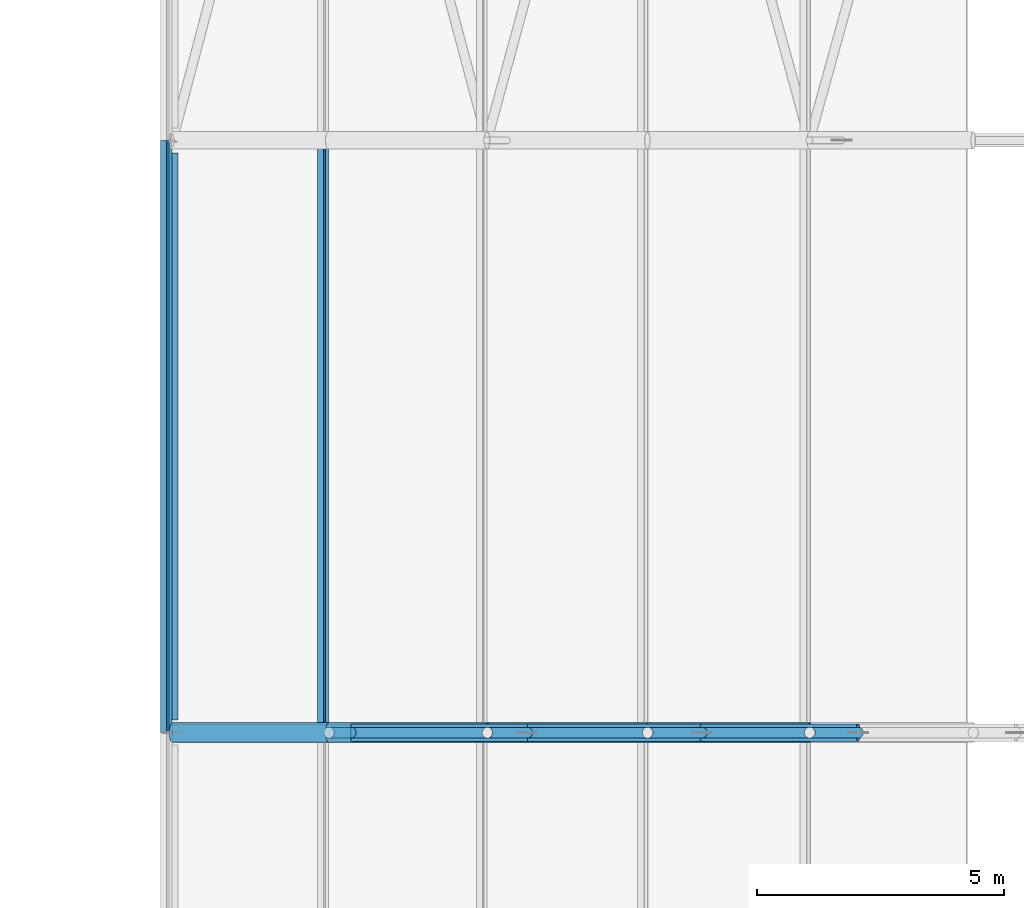
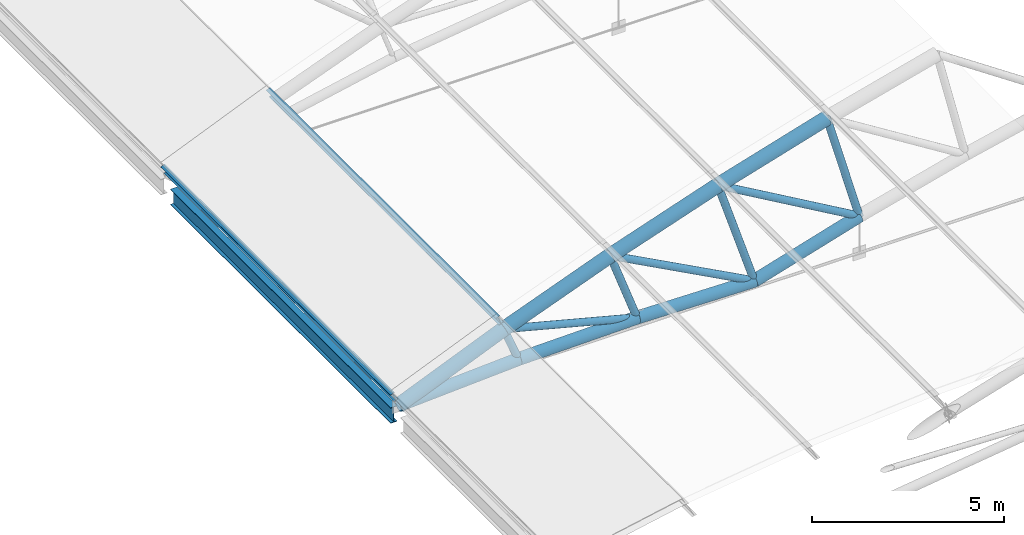
# One storey, part 161 of 321: 17 members, 1 beam.
"""IFC4 building model written with IfcOpenShell, lengths in metres."""

from ifc_helpers import new_model, si_unit, direction, frame, origin, origin_2d, place, context, subcontext, project, spatial, hollow_circle, i_section, extrude, material, material_profile, profile_set, type_object, element, save


model = new_model("IFC4")

# Units and contexts
model_context = context("Model", 3, precision=1e-05, world=origin(), true_north=direction((0.0, 1.0)))
body_context = subcontext(model_context, "Body", "Model", "MODEL_VIEW")
ifc_project = project(units=[si_unit("LENGTHUNIT", "METRE"), si_unit("AREAUNIT", "SQUARE_METRE"), si_unit("VOLUMEUNIT", "CUBIC_METRE"), si_unit("PLANEANGLEUNIT", "RADIAN"), si_unit("MASSUNIT", "GRAM", prefix="KILO")], contexts=[model_context])

# Site, building, storey
site_placement = place(None, origin())
site = spatial("IfcSite", under=ifc_project, at=site_placement, CompositionType="ELEMENT")
building_placement = place(site_placement, origin())
building = spatial("IfcBuilding", under=site, at=building_placement, Name="Ravi Spectrum Wholesale Market", CompositionType="ELEMENT")
storey_placement = place(building_placement, frame((0.0, 0.0, 10.800048828125)))
storey = spatial("IfcBuildingStorey", under=building, at=storey_placement, Name="L02", CompositionType="ELEMENT", Elevation=10.800048828125)

# Members
ifc_material_1 = material(Name="Steel S355", Category="steel")
ifc_material_profile_1 = material_profile(ifc_material_1, hollow_circle(Radius=0.109619140625, WallThickness=0.008056640625, at=origin_2d()))
ifc_profile_set_1 = profile_set([ifc_material_profile_1], Name="Steel S355")
member_type_1 = type_object("IfcMemberType", Name="CHS 219.1x8 brace", PredefinedType="BRACE", material=ifc_profile_set_1)
member_1_placement = place(storey_placement, frame((33.163818359375, 174.0, 1.325439453125), z_axis=(0.967942387937, 0.0, -0.251172318609), x_axis=(0.0, 1.0, 0.0)))
element("IfcMember", 1, at=member_1_placement, inside=storey, type_object=member_type_1, Name="H1-MB-L02-1044", PredefinedType="BRACE", context=body_context, shape_type="SweptSolid", body=[
    extrude(hollow_circle(Radius=0.109619140625, WallThickness=0.008056640625, at=origin_2d()), origin(), (0.0, 0.0, 1.0), 4.15234375),
])
for number, where, z_axis, x_axis, name in (
    (2, (36.37158203125, 174.0, 2.541015625), (0.881933088563, 0.0, -0.471374614608), (0.0, 1.0, 0.0), "H1-MB-L02-1045"),
    (3, (39.619384765625, 174.0, 3.645263671875), (0.865160555252, 0.0, -0.501494978675), (0.0, 1.0, 0.0), "H1-MB-L02-1046"),
):
    element("IfcMember", number, at=place(storey_placement, frame(where, z_axis=z_axis, x_axis=x_axis)), inside=storey, type_object=member_type_1, Name=name, PredefinedType="BRACE", context=body_context, shape_type="SweptSolid", body=[
        extrude(hollow_circle(Radius=0.109619140625, WallThickness=0.008056640625, at=origin_2d()), origin(), (0.0, 0.0, 1.0), 4.9296875),
    ])
ifc_material_2 = material(Name="Steel S355", Category="steel")
ifc_material_profile_2 = material_profile(ifc_material_2, hollow_circle(Radius=0.109619140625, WallThickness=0.008056640625, at=origin_2d()))
ifc_profile_set_2 = profile_set([ifc_material_profile_2], Name="Steel S355")
member_type_2 = type_object("IfcMemberType", Name="CHS 219.1x8 post", PredefinedType="POST", material=ifc_profile_set_2)
member_2_placement = place(storey_placement, frame((33.163818359375, 174.0, 1.325439453125), z_axis=(0.370513497528, 0.0, -0.928827081942), x_axis=(0.0, 1.0, 0.0)))
element("IfcMember", 4, at=member_2_placement, inside=storey, type_object=member_type_2, Name="H1-MB-L02-1021", PredefinedType="POST", context=body_context, shape_type="SweptSolid", body=[
    extrude(hollow_circle(Radius=0.109619140625, WallThickness=0.008056640625, at=origin_2d()), origin(), (0.0, 0.0, 1.0), 1.199951171875),
])
member_3_placement = place(storey_placement, frame((36.37158203125, 174.0, 2.541015625), z_axis=(0.338146640483, 0.0, -0.941093432944), x_axis=(0.0, 1.0, 0.0)))
element("IfcMember", 5, at=member_3_placement, inside=storey, type_object=member_type_2, Name="H1-MB-L02-1022", PredefinedType="POST", context=body_context, shape_type="SweptSolid", body=[
    extrude(hollow_circle(Radius=0.109619140625, WallThickness=0.008056640625, at=origin_2d()), origin(), (0.0, 0.0, 1.0), 2.39990234375),
])
member_4_placement = place(storey_placement, frame((39.619384765625, 174.0, 3.645263671875), z_axis=(0.305506444581, 0.0, -0.952190008517), x_axis=(0.0, 1.0, 0.0)))
element("IfcMember", 6, at=member_4_placement, inside=storey, type_object=member_type_2, Name="H1-MB-L02-1023", PredefinedType="POST", context=body_context, shape_type="SweptSolid", body=[
    extrude(hollow_circle(Radius=0.109619140625, WallThickness=0.008056640625, at=origin_2d()), origin(), (0.0, 0.0, 1.0), 3.60009765625),
])
member_5_placement = place(storey_placement, frame((42.903076171875, 174.0, 4.63671875), z_axis=(0.272561766134, 0.0, -0.962138287172), x_axis=(0.0, 1.0, 0.0)))
element("IfcMember", 7, at=member_5_placement, inside=storey, type_object=member_type_2, Name="H1-MB-L02-1024", PredefinedType="POST", context=body_context, shape_type="SweptSolid", body=[
    extrude(hollow_circle(Radius=0.109619140625, WallThickness=0.008056640625, at=origin_2d()), origin(), (0.0, 0.0, 1.0), 3.599853515625),
])
ifc_material_3 = material(Name="Steel S355", Category="steel")
ifc_material_profile_3 = material_profile(ifc_material_3, hollow_circle(Radius=0.177734375, WallThickness=0.012451171875, at=origin_2d()))
ifc_profile_set_3 = profile_set([ifc_material_profile_3], Name="Steel S355")
member_type_3 = type_object("IfcMemberType", Name="CHS 355.6x12.5 chord", PredefinedType="CHORD", material=ifc_profile_set_3)
member_6_placement = place(storey_placement, frame((30.0, 174.0, 0.0), z_axis=(0.998295734367, 0.0, 0.058357747936), x_axis=(0.0, 1.0, 0.0)))
element("IfcMember", 8, at=member_6_placement, inside=storey, type_object=member_type_3, Name="H1-MB-L02-997", PredefinedType="CHORD", context=body_context, shape_type="SweptSolid", body=[
    extrude(hollow_circle(Radius=0.177734375, WallThickness=0.012451171875, at=origin_2d()), origin(), (0.0, 0.0, 1.0), 3.614501953125),
])
member_7_placement = place(storey_placement, frame((33.6083984375, 174.0, 0.2109375), z_axis=(0.999799841502, 0.0, 0.020006922112), x_axis=(0.0, 1.0, 0.0)))
element("IfcMember", 9, at=member_7_placement, inside=storey, type_object=member_type_3, Name="H1-MB-L02-998", PredefinedType="CHORD", context=body_context, shape_type="SweptSolid", body=[
    extrude(hollow_circle(Radius=0.177734375, WallThickness=0.012451171875, at=origin_2d()), origin(), (0.0, 0.0, 1.0), 3.575439453125),
])
member_8_placement = place(storey_placement, frame((37.18310546875, 174.0, 0.282470703125), z_axis=(0.999830134639, 0.0, -0.018431002896), x_axis=(0.0, 1.0, 0.0)))
element("IfcMember", 10, at=member_8_placement, inside=storey, type_object=member_type_3, Name="H1-MB-L02-999", PredefinedType="CHORD", context=body_context, shape_type="SweptSolid", body=[
    extrude(hollow_circle(Radius=0.177734375, WallThickness=0.012451171875, at=origin_2d()), origin(), (0.0, 0.0, 1.0), 3.53662109375),
])
member_9_placement = place(storey_placement, frame((40.71923828125, 174.0, 0.21728515625), z_axis=(0.957300337613, 0.0, 0.289095250058), x_axis=(0.0, 1.0, 0.0)))
element("IfcMember", 11, at=member_9_placement, inside=storey, type_object=member_type_3, Name="H1-MB-L02-1000", PredefinedType="CHORD", context=body_context, shape_type="SweptSolid", body=[
    extrude(hollow_circle(Radius=0.177734375, WallThickness=0.012451171875, at=origin_2d()), origin(), (0.0, 0.0, 1.0), 3.30615234375),
])
ifc_material_4 = material(Name="Steel S355", Category="steel")
ifc_material_profile_4 = material_profile(ifc_material_4, hollow_circle(Radius=0.203125, WallThickness=0.01611328125, at=origin_2d()))
ifc_profile_set_4 = profile_set([ifc_material_profile_4], Name="Steel S355")
member_type_4 = type_object("IfcMemberType", Name="CHS 406.4x16 chord", PredefinedType="CHORD", material=ifc_profile_set_4)
member_10_placement = place(storey_placement, frame((30.0, 174.0, 0.0), z_axis=(0.922331882778, 0.0, 0.386398625789), x_axis=(0.0, 1.0, 0.0)))
element("IfcMember", 12, at=member_10_placement, inside=storey, type_object=member_type_4, Name="H1-MB-L02-973", PredefinedType="CHORD", context=body_context, shape_type="SweptSolid", body=[
    extrude(hollow_circle(Radius=0.203125, WallThickness=0.01611328125, at=origin_2d()), origin(), (0.0, 0.0, 1.0), 3.43017578125),
])
for number, where, z_axis, x_axis, name in (
    (13, (33.163818359375, 174.0, 1.325439453125), (0.935109783896, 0.0, 0.354358140956), (0.0, 1.0, 0.0), "H1-MB-L02-974"),
    (14, (36.37158203125, 174.0, 2.541015625), (0.946773178626, 0.0, 0.321901457335), (0.0, 1.0, 0.0), "H1-MB-L02-975"),
):
    element("IfcMember", number, at=place(storey_placement, frame(where, z_axis=z_axis, x_axis=x_axis)), inside=storey, type_object=member_type_4, Name=name, PredefinedType="CHORD", context=body_context, shape_type="SweptSolid", body=[
        extrude(hollow_circle(Radius=0.203125, WallThickness=0.01611328125, at=origin_2d()), origin(), (0.0, 0.0, 1.0), 3.430419921875),
    ])
member_11_placement = place(storey_placement, frame((39.619384765625, 174.0, 3.645263671875), z_axis=(0.957315448633, 0.0, 0.289045207204), x_axis=(0.0, 1.0, 0.0)))
element("IfcMember", 15, at=member_11_placement, inside=storey, type_object=member_type_4, Name="H1-MB-L02-976", PredefinedType="CHORD", context=body_context, shape_type="SweptSolid", body=[
    extrude(hollow_circle(Radius=0.203125, WallThickness=0.01611328125, at=origin_2d()), origin(), (0.0, 0.0, 1.0), 3.43017578125),
])
ifc_material_5 = material(Name="Steel S355", Category="steel")
ifc_material_profile_5 = material_profile(ifc_material_5, i_section(OverallWidth=0.135009765625, OverallDepth=0.27001953125, WebThickness=0.006591796875, FlangeThickness=0.01025390625, at=origin_2d()))
ifc_profile_set_5 = profile_set([ifc_material_profile_5], Name="Steel S355")
member_type_5 = type_object("IfcMemberType", Name="IPE 270 purlin", PredefinedType="PURLIN", material=ifc_profile_set_5)
for number, where, z_axis, x_axis, name in (
    (16, (29.864013671875, 174.0, 0.3095703125), (0.0, 1.0, 0.0), (-0.915525334521, 0.0, -0.402260316027), "H1-MB-L02-1534"),
    (17, (33.03857421875, 174.0, 1.6396484375), (0.0, 1.0, 0.0), (-0.928855283584, 0.0, -0.370442792017), "H1-MB-L02-1535"),
):
    element("IfcMember", number, at=place(storey_placement, frame(where, z_axis=z_axis, x_axis=x_axis)), inside=storey, type_object=member_type_5, Name=name, PredefinedType="PURLIN", context=body_context, shape_type="SweptSolid", body=[
        extrude(i_section(OverallWidth=0.135009765625, OverallDepth=0.27001953125, WebThickness=0.006591796875, FlangeThickness=0.01025390625, at=origin_2d()), origin(), (0.0, 0.0, 1.0), 12.0),
    ])

# Beam
ifc_material_6 = material(Name="Steel S355", Category="steel")
ifc_material_profile_6 = material_profile(ifc_material_6, i_section(OverallWidth=0.199951171875, OverallDepth=0.5, WebThickness=0.01025390625, FlangeThickness=0.01611328125, at=origin_2d()))
ifc_profile_set_6 = profile_set([ifc_material_profile_6], Name="Steel S355")
beam_type = type_object("IfcBeamType", Name="IPE 500 girder", PredefinedType="BEAM", material=ifc_profile_set_6)
beam_placement = place(storey_placement, frame((30.0, 174.25390625, -0.449951171875), z_axis=(0.0, 1.0, 0.0), x_axis=(-1.0, 0.0, 0.0)))
element("IfcBeam", 18, at=beam_placement, inside=storey, type_object=beam_type, Name="H1-BM-L02-013", PredefinedType="BEAM", context=body_context, shape_type="SweptSolid", body=[
    extrude(i_section(OverallWidth=0.199951171875, OverallDepth=0.5, WebThickness=0.01025390625, FlangeThickness=0.01611328125, at=origin_2d()), origin(), (0.0, 0.0, 1.0), 11.4921875),
])

save(model, "model.ifc")
